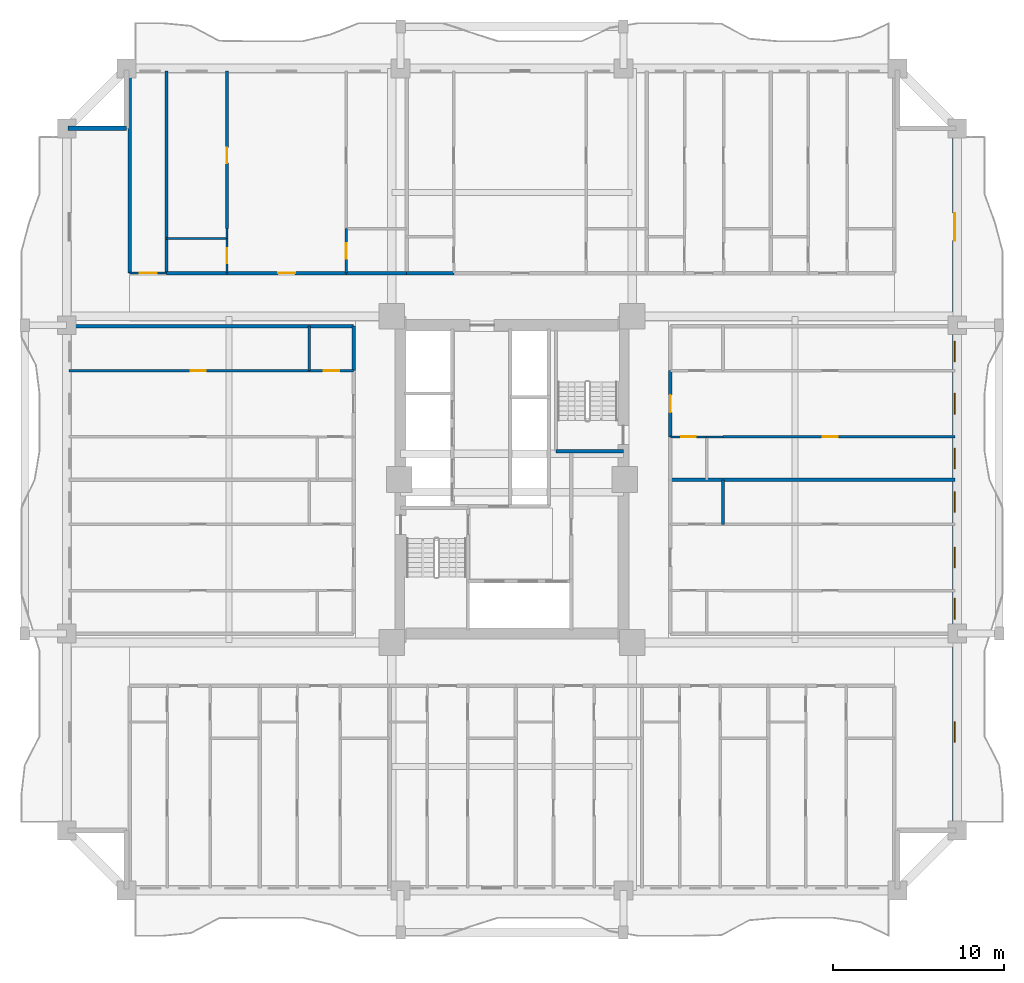
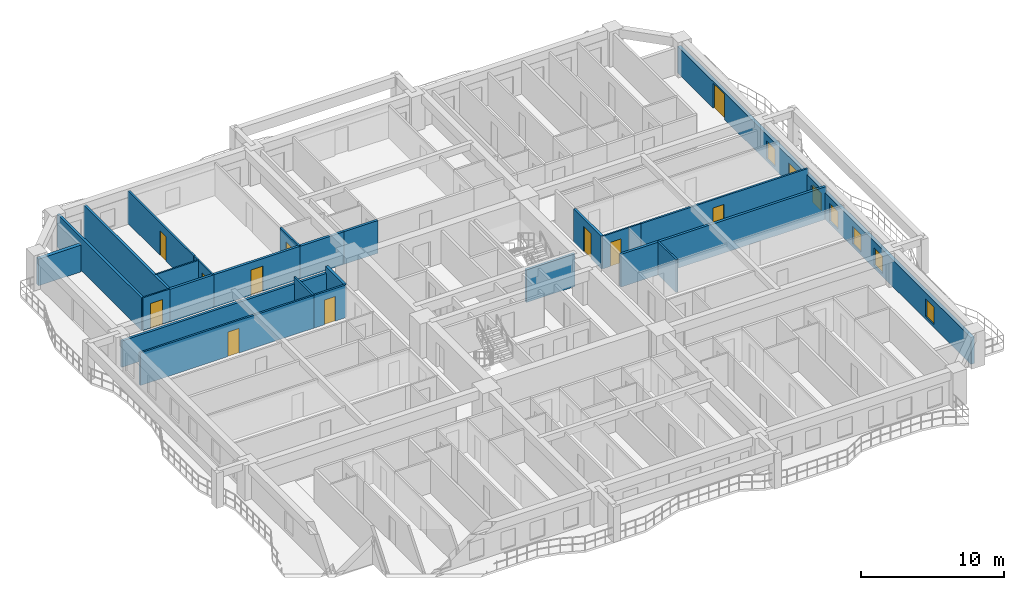
# One storey, part 7 of 17: 26 walls, 11 doors, 7 windows, 18 openings.
"""IFC4 building model written with IfcOpenShell, lengths in metres."""

from ifc_helpers import new_model, si_unit, direction, frame, frame_2d, origin, place, context, subcontext, project, spatial, rectangle, extrude, source, transform, mapped, material, layer, layer_set, type_object, element, fill, save


model = new_model("IFC4")

# Units and contexts
model_context = context("Model", 3, precision=1e-05, world=origin(), true_north=direction((0.0, 1.0)))
body_context = subcontext(model_context, "Body", "Model", "MODEL_VIEW")
ifc_project = project(units=[si_unit("LENGTHUNIT", "METRE"), si_unit("AREAUNIT", "SQUARE_METRE"), si_unit("VOLUMEUNIT", "CUBIC_METRE"), si_unit("PLANEANGLEUNIT", "RADIAN"), si_unit("MASSUNIT", "GRAM", prefix="KILO")], contexts=[model_context])

# Site, building, storey
site_placement = place(None, origin())
site = spatial("IfcSite", under=ifc_project, at=site_placement, CompositionType="ELEMENT")
building_placement = place(site_placement, origin())
building = spatial("IfcBuilding", under=site, at=building_placement, Name="Saelheon Loggia Tower", CompositionType="ELEMENT")
storey_placement = place(building_placement, frame((0.0, 0.0, 22.39990234375)))
storey = spatial("IfcBuildingStorey", under=building, at=storey_placement, Name="L06", CompositionType="ELEMENT", Elevation=22.39990234375)

# Wall, openings, windows, door
ifc_material_1 = material(Name="Architectural Precast Concrete C40/50", Category="concrete")
ifc_layer_1 = layer(ifc_material_1, 0.280029296875)
ifc_layer_set_1 = layer_set([ifc_layer_1], Name="Architectural Precast Concrete C40/50")
wall_type_1 = type_object("IfcWallType", Name="Wall_Ext_Loggia_280", PredefinedType="SOLIDWALL", material=ifc_layer_set_1)
wall_1_placement = place(storey_placement, frame((63.860107421875, 6.5, 0.0), z_axis=(0.0, 0.0, 1.0), x_axis=(0.0, 1.0, 0.0)))
wall_1 = element("IfcWall", 1, at=wall_1_placement, inside=storey, type_object=wall_type_1, Name="L06 East Loggia Inner Wall", PredefinedType="SOLIDWALL", context=body_context, shape_type="SweptSolid", body=[
    extrude(rectangle(XDim=41.0, YDim=0.280029296875, at=frame_2d((20.5, 0.0))), origin(), (0.0, 0.0, 1.0), 2.280029296875),
])
opening_1_placement = place(wall_1_placement, frame((5.14990234375, 0.0, 0.25)))
opening_1 = element("IfcOpeningElement", 2, at=opening_1_placement, cuts=wall_1, Name="Opening WN-03", PredefinedType="OPENING", context=body_context, shape_type="SweptSolid", body=[
    extrude(rectangle(XDim=1.199951171875, YDim=1.5, at=frame_2d((0.60009765625, 0.75))), frame((0.0, 0.152099609375, 0.0), z_axis=(0.0, -1.0, 0.0), x_axis=(1.0, 0.0, 0.0)), (0.0, 0.0, 1.0), 0.303955078125),
])
opening_2_placement = place(wall_1_placement, frame((12.3515625, 0.0, 0.25)))
opening_2 = element("IfcOpeningElement", 3, at=opening_2_placement, cuts=wall_1, Name="Opening WN-03", PredefinedType="OPENING", context=body_context, shape_type="SweptSolid", body=[
    extrude(rectangle(XDim=1.199951171875, YDim=1.5, at=frame_2d((0.60009765625, 0.75))), frame((0.0, 0.152099609375, 0.0), z_axis=(0.0, -1.0, 0.0), x_axis=(1.0, 0.0, 0.0)), (0.0, 0.0, 1.0), 0.303955078125),
])
opening_3_placement = place(wall_1_placement, frame((15.343994140625, 0.0, 0.25)))
opening_3 = element("IfcOpeningElement", 4, at=opening_3_placement, cuts=wall_1, Name="Opening WN-03", PredefinedType="OPENING", context=body_context, shape_type="SweptSolid", body=[
    extrude(rectangle(XDim=1.199951171875, YDim=1.5, at=frame_2d((0.60009765625, 0.75))), frame((0.0, 0.152099609375, 0.0), z_axis=(0.0, -1.0, 0.0), x_axis=(1.0, 0.0, 0.0)), (0.0, 0.0, 1.0), 0.303955078125),
])
opening_4_placement = place(wall_1_placement, frame((18.574951171875, 0.0, 0.25)))
opening_4 = element("IfcOpeningElement", 5, at=opening_4_placement, cuts=wall_1, Name="Opening WN-03", PredefinedType="OPENING", context=body_context, shape_type="SweptSolid", body=[
    extrude(rectangle(XDim=1.199951171875, YDim=1.5, at=frame_2d((0.60009765625, 0.75))), frame((0.0, 0.152099609375, 0.0), z_axis=(0.0, -1.0, 0.0), x_axis=(1.0, 0.0, 0.0)), (0.0, 0.0, 1.0), 0.303955078125),
])
opening_5_placement = place(wall_1_placement, frame((21.131591796875, 0.0, 0.25)))
opening_5 = element("IfcOpeningElement", 6, at=opening_5_placement, cuts=wall_1, Name="Opening WN-03", PredefinedType="OPENING", context=body_context, shape_type="SweptSolid", body=[
    extrude(rectangle(XDim=1.199951171875, YDim=1.5, at=frame_2d((0.60009765625, 0.75))), frame((0.0, 0.152099609375, 0.0), z_axis=(0.0, -1.0, 0.0), x_axis=(1.0, 0.0, 0.0)), (0.0, 0.0, 1.0), 0.303955078125),
])
opening_6_placement = place(wall_1_placement, frame((24.319091796875, 0.0, 0.25)))
opening_6 = element("IfcOpeningElement", 7, at=opening_6_placement, cuts=wall_1, Name="Opening WN-03", PredefinedType="OPENING", context=body_context, shape_type="SweptSolid", body=[
    extrude(rectangle(XDim=1.199951171875, YDim=1.5, at=frame_2d((0.60009765625, 0.75))), frame((0.0, 0.152099609375, 0.0), z_axis=(0.0, -1.0, 0.0), x_axis=(1.0, 0.0, 0.0)), (0.0, 0.0, 1.0), 0.303955078125),
])
opening_7_placement = place(wall_1_placement, frame((27.3798828125, 0.0, 0.25)))
opening_7 = element("IfcOpeningElement", 8, at=opening_7_placement, cuts=wall_1, Name="Opening WN-03", PredefinedType="OPENING", context=body_context, shape_type="SweptSolid", body=[
    extrude(rectangle(XDim=1.199951171875, YDim=1.5, at=frame_2d((0.60009765625, 0.75))), frame((0.0, 0.152099609375, 0.0), z_axis=(0.0, -1.0, 0.0), x_axis=(1.0, 0.0, 0.0)), (0.0, 0.0, 1.0), 0.303955078125),
])
opening_8_placement = place(wall_1_placement, frame((36.050048828125, 0.0, 0.0), z_axis=(0.0, 0.0, 1.0), x_axis=(-1.0, 0.0, 0.0)))
opening_8 = element("IfcOpeningElement", 9, at=opening_8_placement, cuts=wall_1, Name="Opening DLG-1", PredefinedType="OPENING", context=body_context, shape_type="SweptSolid", body=[
    extrude(rectangle(XDim=1.60009765625, YDim=2.14990234375, at=frame_2d((0.800048828125, 1.074951171875))), frame((0.0, 0.152099609375, 0.0), z_axis=(0.0, -1.0, 0.0), x_axis=(1.0, 0.0, 0.0)), (0.0, 0.0, 1.0), 0.303955078125),
])
ifc_material_2 = material(Name="Thermal-Break Aluminium and Triple Low-E Glass", Category="aluminium")
window_type = type_object("IfcWindowType", Name="Win_Bedroom_1200x1500", PartitioningType="SINGLE_PANEL", PredefinedType="WINDOW", material=ifc_material_2)
shared_shape_1 = source(origin(), body_context, "Body", "SweptSolid", [
    extrude(rectangle(XDim=1.199951171875, YDim=1.5, at=frame_2d((0.60009765625, 0.75))), frame((0.0, 0.030029296875, 0.0), z_axis=(0.0, -1.0, 0.0), x_axis=(1.0, 0.0, 0.0)), (0.0, 0.0, 1.0), 0.06005859375),
])
window_1_placement = place(opening_1_placement, origin())
window_1 = element("IfcWindow", 10, at=window_1_placement, inside=storey, type_object=window_type, Name="L06 E Dwelling Window 1", OverallHeight=1.5, OverallWidth=1.199951171875, PartitioningType="SINGLE_PANEL", PredefinedType="WINDOW", context=body_context, shape_type="MappedRepresentation", body=[
    mapped(shared_shape_1, transform((0.0, 0.0, 0.0), scale=1.0)),
])
fill(opening_1, window_1)
window_2_placement = place(opening_2_placement, origin())
window_2 = element("IfcWindow", 11, at=window_2_placement, inside=storey, type_object=window_type, Name="L06 E Dwelling Window 2", OverallHeight=1.5, OverallWidth=1.199951171875, PartitioningType="SINGLE_PANEL", PredefinedType="WINDOW", context=body_context, shape_type="MappedRepresentation", body=[
    mapped(shared_shape_1, transform((0.0, 0.0, 0.0), scale=1.0)),
])
fill(opening_2, window_2)
window_3_placement = place(opening_3_placement, origin())
window_3 = element("IfcWindow", 12, at=window_3_placement, inside=storey, type_object=window_type, Name="L06 E Dwelling Window 3", OverallHeight=1.5, OverallWidth=1.199951171875, PartitioningType="SINGLE_PANEL", PredefinedType="WINDOW", context=body_context, shape_type="MappedRepresentation", body=[
    mapped(shared_shape_1, transform((0.0, 0.0, 0.0), scale=1.0)),
])
fill(opening_3, window_3)
window_4_placement = place(opening_4_placement, origin())
window_4 = element("IfcWindow", 13, at=window_4_placement, inside=storey, type_object=window_type, Name="L06 E Dwelling Window 4", OverallHeight=1.5, OverallWidth=1.199951171875, PartitioningType="SINGLE_PANEL", PredefinedType="WINDOW", context=body_context, shape_type="MappedRepresentation", body=[
    mapped(shared_shape_1, transform((0.0, 0.0, 0.0), scale=1.0)),
])
fill(opening_4, window_4)
window_5_placement = place(opening_5_placement, origin())
window_5 = element("IfcWindow", 14, at=window_5_placement, inside=storey, type_object=window_type, Name="L06 E Dwelling Window 5", OverallHeight=1.5, OverallWidth=1.199951171875, PartitioningType="SINGLE_PANEL", PredefinedType="WINDOW", context=body_context, shape_type="MappedRepresentation", body=[
    mapped(shared_shape_1, transform((0.0, 0.0, 0.0), scale=1.0)),
])
fill(opening_5, window_5)
window_6_placement = place(opening_6_placement, origin())
window_6 = element("IfcWindow", 15, at=window_6_placement, inside=storey, type_object=window_type, Name="L06 E Dwelling Window 6", OverallHeight=1.5, OverallWidth=1.199951171875, PartitioningType="SINGLE_PANEL", PredefinedType="WINDOW", context=body_context, shape_type="MappedRepresentation", body=[
    mapped(shared_shape_1, transform((0.0, 0.0, 0.0), scale=1.0)),
])
fill(opening_6, window_6)
window_7_placement = place(opening_7_placement, origin())
window_7 = element("IfcWindow", 16, at=window_7_placement, inside=storey, type_object=window_type, Name="L06 E Dwelling Window 7", OverallHeight=1.5, OverallWidth=1.199951171875, PartitioningType="SINGLE_PANEL", PredefinedType="WINDOW", context=body_context, shape_type="MappedRepresentation", body=[
    mapped(shared_shape_1, transform((0.0, 0.0, 0.0), scale=1.0)),
])
fill(opening_7, window_7)
ifc_material_3 = material(Name="Thermal-Break Aluminium Sliding Glazed Door", Category="aluminium")
door_type_1 = type_object("IfcDoorType", Name="Door_LoggiaSlide_1600", OperationType="SLIDING_TO_LEFT", PredefinedType="DOOR", material=ifc_material_3)
shared_shape_2 = source(origin(), body_context, "Body", "SweptSolid", [
    extrude(rectangle(XDim=1.60009765625, YDim=2.14990234375, at=frame_2d((0.800048828125, 1.074951171875))), frame((0.0, 0.02490234375, 0.0), z_axis=(0.0, -1.0, 0.0), x_axis=(1.0, 0.0, 0.0)), (0.0, 0.0, 1.0), 0.050048828125),
])
door_1_placement = place(opening_8_placement, origin())
door_1 = element("IfcDoor", 17, at=door_1_placement, inside=storey, type_object=door_type_1, Name="L06 E Loggia Access Door", OperationType="SLIDING_TO_LEFT", OverallHeight=2.14990234375, OverallWidth=1.60009765625, PredefinedType="DOOR", context=body_context, shape_type="MappedRepresentation", body=[
    mapped(shared_shape_2, transform((0.0, 0.0, 0.0), scale=1.0)),
])
fill(opening_8, door_1)

# Wall
wall_2_placement = place(storey_placement, frame((12.080078125, 47.5, 0.0), z_axis=(0.0, 0.0, 1.0), x_axis=(1.0, 0.0, 0.0)))
element("IfcWall", 18, at=wall_2_placement, inside=storey, type_object=wall_type_1, Name="L06 Corner Notch Precast Wall NW2", PredefinedType="SOLIDWALL", context=body_context, shape_type="SweptSolid", body=[
    extrude(rectangle(XDim=3.419921875, YDim=0.280029296875, at=frame_2d((1.7099609375, 0.0))), origin(), (0.0, 0.0, 1.0), 2.280029296875),
])

# Wall, opening, door
ifc_material_4 = material(Name="Lightweight Autoclaved Aerated Concrete Block and Acoustic Gypsum", Category="concrete")
ifc_layer_2 = layer(ifc_material_4, 0.14990234375)
ifc_layer_set_2 = layer_set([ifc_layer_2], Name="Lightweight Autoclaved Aerated Concrete Block and Acoustic Gypsum")
wall_type_2 = type_object("IfcWallType", Name="Wall_Part_150", PredefinedType="PARTITIONING", material=ifc_layer_set_2)
wall_3_placement = place(storey_placement, frame((21.35888671875, 41.639892578125, 0.0), z_axis=(0.0, 0.0, 1.0), x_axis=(0.0, 1.0, 0.0)))
wall_3 = element("IfcWall", 19, at=wall_3_placement, inside=storey, type_object=wall_type_2, Name="L06 N Partition U12", PredefinedType="PARTITIONING", context=body_context, shape_type="SweptSolid", body=[
    extrude(rectangle(XDim=9.210205078125, YDim=0.14990234375, at=frame_2d((4.60498046875, 0.0))), origin(), (0.0, 0.0, 1.0), 2.7900390625),
])
opening_9_placement = place(wall_3_placement, frame((3.82861328125, 0.0, 0.0)))
opening_9 = element("IfcOpeningElement", 20, at=opening_9_placement, cuts=wall_3, Name="Opening D-IN2", PredefinedType="OPENING", context=body_context, shape_type="SweptSolid", body=[
    extrude(rectangle(XDim=0.89990234375, YDim=2.10009765625, at=frame_2d((0.449951171875, 1.050048828125))), frame((0.0, 0.0869140625, 0.0), z_axis=(0.0, -1.0, 0.0), x_axis=(1.0, 0.0, 0.0)), (0.0, 0.0, 1.0), 0.173828125),
])
ifc_material_5 = material(Name="Engineered Oak Flush Door", Category="timber")
door_type_2 = type_object("IfcDoorType", Name="Door_Int_900", OperationType="NOTDEFINED", PredefinedType="DOOR", material=ifc_material_5)
shared_shape_3 = source(origin(), body_context, "Body", "SweptSolid", [
    extrude(rectangle(XDim=0.89990234375, YDim=2.10009765625, at=frame_2d((0.449951171875, 1.050048828125))), frame((0.0, 0.02490234375, 0.0), z_axis=(0.0, -1.0, 0.0), x_axis=(1.0, 0.0, 0.0)), (0.0, 0.0, 1.0), 0.050048828125),
])
door_2_placement = place(opening_9_placement, origin())
door_2 = element("IfcDoor", 21, at=door_2_placement, inside=storey, type_object=door_type_2, Name="Unit U07 Bedroom 2 Door", OperationType="SINGLE_SWING_RIGHT", OverallHeight=2.10009765625, OverallWidth=0.89990234375, PredefinedType="DOOR", context=body_context, shape_type="MappedRepresentation", body=[
    mapped(shared_shape_3, transform((0.0, 0.0, 0.0), scale=1.0)),
])
fill(opening_9, door_2)

wall_4_placement = place(storey_placement, frame((28.322998046875, 39.050048828125, 0.0), z_axis=(0.0, 0.0, 1.0), x_axis=(0.0, 1.0, 0.0)))
wall_4 = element("IfcWall", 22, at=wall_4_placement, inside=storey, type_object=wall_type_2, Name="L06 N Partition U13", PredefinedType="PARTITIONING", context=body_context, shape_type="SweptSolid", body=[
    extrude(rectangle(XDim=2.58984375, YDim=0.14990234375, at=frame_2d((1.294921875, 0.0))), origin(), (0.0, 0.0, 1.0), 2.7900390625),
])
opening_10_placement = place(wall_4_placement, frame((0.844970703125, 0.0, 0.0)))
opening_10 = element("IfcOpeningElement", 23, at=opening_10_placement, cuts=wall_4, Name="Opening D-IN2", PredefinedType="OPENING", context=body_context, shape_type="SweptSolid", body=[
    extrude(rectangle(XDim=0.89990234375, YDim=2.10009765625, at=frame_2d((0.449951171875, 1.050048828125))), frame((0.0, 0.0869140625, 0.0), z_axis=(0.0, -1.0, 0.0), x_axis=(1.0, 0.0, 0.0)), (0.0, 0.0, 1.0), 0.173828125),
])
door_3_placement = place(opening_10_placement, origin())
door_3 = element("IfcDoor", 24, at=door_3_placement, inside=storey, type_object=door_type_2, Name="Unit U07 Kitchen Door", OperationType="SINGLE_SWING_LEFT", OverallHeight=2.10009765625, OverallWidth=0.89990234375, PredefinedType="DOOR", context=body_context, shape_type="MappedRepresentation", body=[
    mapped(shared_shape_3, transform((0.0, 0.0, 0.0), scale=1.0)),
])
fill(opening_10, door_3)

# Wall
wall_5_placement = place(storey_placement, frame((26.159912109375, 33.35009765625, 0.0), z_axis=(0.0, 0.0, 1.0), x_axis=(0.0, 1.0, 0.0)))
element("IfcWall", 25, at=wall_5_placement, inside=storey, type_object=wall_type_2, Name="L06 W Partition V18", PredefinedType="PARTITIONING", context=body_context, shape_type="SweptSolid", body=[
    extrude(rectangle(XDim=2.599853515625, YDim=0.14990234375, at=frame_2d((1.2998046875, 0.0))), origin(), (0.0, 0.0, 1.0), 2.7900390625),
])

# Wall, opening, door
wall_6_placement = place(storey_placement, frame((28.75, 33.35009765625, 0.0), z_axis=(0.0, 0.0, 1.0), x_axis=(-1.0, 0.0, 0.0)))
wall_6 = element("IfcWall", 26, at=wall_6_placement, inside=storey, type_object=wall_type_2, Name="L06 W Partition U22", PredefinedType="PARTITIONING", context=body_context, shape_type="SweptSolid", body=[
    extrude(rectangle(XDim=2.590087890625, YDim=0.14990234375, at=frame_2d((1.294921875, 0.0))), origin(), (0.0, 0.0, 1.0), 2.7900390625),
])
opening_11_placement = place(wall_6_placement, frame((0.844970703125, 0.0, 0.0)))
opening_11 = element("IfcOpeningElement", 27, at=opening_11_placement, cuts=wall_6, Name="Opening D-IN2", PredefinedType="OPENING", context=body_context, shape_type="SweptSolid", body=[
    extrude(rectangle(XDim=0.89990234375, YDim=2.10009765625, at=frame_2d((0.449951171875, 1.050048828125))), frame((0.0, 0.0869140625, 0.0), z_axis=(0.0, -1.0, 0.0), x_axis=(1.0, 0.0, 0.0)), (0.0, 0.0, 1.0), 0.173828125),
])
door_4_placement = place(opening_11_placement, origin())
door_4 = element("IfcDoor", 28, at=door_4_placement, inside=storey, type_object=door_type_2, Name="Unit U12 Dressing Closet Door", OperationType="SINGLE_SWING_RIGHT", OverallHeight=2.10009765625, OverallWidth=0.89990234375, PredefinedType="DOOR", context=body_context, shape_type="MappedRepresentation", body=[
    mapped(shared_shape_3, transform((0.0, 0.0, 0.0), scale=1.0)),
])
fill(opening_11, door_4)

wall_7_placement = place(storey_placement, frame((26.159912109375, 33.35009765625, 0.0), z_axis=(0.0, 0.0, 1.0), x_axis=(-1.0, 0.0, 0.0)))
wall_7 = element("IfcWall", 29, at=wall_7_placement, inside=storey, type_object=wall_type_2, Name="L06 W Partition U23", PredefinedType="PARTITIONING", context=body_context, shape_type="SweptSolid", body=[
    extrude(rectangle(XDim=14.010009765625, YDim=0.14990234375, at=frame_2d((7.0048828125, 0.0))), origin(), (0.0, 0.0, 1.0), 2.7900390625),
])
opening_12_placement = place(wall_7_placement, frame((6.02880859375, 0.0, 0.0)))
opening_12 = element("IfcOpeningElement", 30, at=opening_12_placement, cuts=wall_7, Name="Opening D-IN2", PredefinedType="OPENING", context=body_context, shape_type="SweptSolid", body=[
    extrude(rectangle(XDim=0.89990234375, YDim=2.10009765625, at=frame_2d((0.449951171875, 1.050048828125))), frame((0.0, 0.0869140625, 0.0), z_axis=(0.0, -1.0, 0.0), x_axis=(1.0, 0.0, 0.0)), (0.0, 0.0, 1.0), 0.173828125),
])
door_5_placement = place(opening_12_placement, origin())
door_5 = element("IfcDoor", 31, at=door_5_placement, inside=storey, type_object=door_type_2, Name="Unit U12 Bedroom 1 Door", OperationType="SINGLE_SWING_LEFT", OverallHeight=2.10009765625, OverallWidth=0.89990234375, PredefinedType="DOOR", context=body_context, shape_type="MappedRepresentation", body=[
    mapped(shared_shape_3, transform((0.0, 0.0, 0.0), scale=1.0)),
])
fill(opening_12, door_5)

# Wall
wall_8_placement = place(storey_placement, frame((50.320068359375, 24.375, 0.0), z_axis=(0.0, 0.0, 1.0), x_axis=(0.0, 1.0, 0.0)))
element("IfcWall", 32, at=wall_8_placement, inside=storey, type_object=wall_type_2, Name="L06 E Partition V07", PredefinedType="PARTITIONING", context=body_context, shape_type="SweptSolid", body=[
    extrude(rectangle(XDim=2.60009765625, YDim=0.14990234375, at=frame_2d((1.300048828125, 0.0))), origin(), (0.0, 0.0, 1.0), 2.7900390625),
])

# Wall, opening, door
wall_9_placement = place(storey_placement, frame((50.320068359375, 29.488037109375, 0.0), z_axis=(0.0, 0.0, 1.0), x_axis=(1.0, 0.0, 0.0)))
wall_9 = element("IfcWall", 33, at=wall_9_placement, inside=storey, type_object=wall_type_2, Name="L06 E Partition U21", PredefinedType="PARTITIONING", context=body_context, shape_type="SweptSolid", body=[
    extrude(rectangle(XDim=13.530029296875, YDim=0.14990234375, at=frame_2d((6.76513671875, 0.0))), origin(), (0.0, 0.0, 1.0), 2.7900390625),
])
opening_13_placement = place(wall_9_placement, frame((5.808837890625, 0.0, 0.0)))
opening_13 = element("IfcOpeningElement", 34, at=opening_13_placement, cuts=wall_9, Name="Opening D-IN2", PredefinedType="OPENING", context=body_context, shape_type="SweptSolid", body=[
    extrude(rectangle(XDim=0.89990234375, YDim=2.10009765625, at=frame_2d((0.449951171875, 1.050048828125))), frame((0.0, 0.0869140625, 0.0), z_axis=(0.0, -1.0, 0.0), x_axis=(1.0, 0.0, 0.0)), (0.0, 0.0, 1.0), 0.173828125),
])
door_6_placement = place(opening_13_placement, origin())
door_6 = element("IfcDoor", 35, at=door_6_placement, inside=storey, type_object=door_type_2, Name="Unit U14 Kitchen Door", OperationType="SINGLE_SWING_LEFT", OverallHeight=2.10009765625, OverallWidth=0.89990234375, PredefinedType="DOOR", context=body_context, shape_type="MappedRepresentation", body=[
    mapped(shared_shape_3, transform((0.0, 0.0, 0.0), scale=1.0)),
])
fill(opening_13, door_6)

# Walls
ifc_material_6 = material(Name="Double Acoustic Stud and Fireboard Partition", Category="gypsum")
ifc_layer_3 = layer(ifc_material_6, 0.199951171875)
ifc_layer_set_3 = layer_set([ifc_layer_3], Name="Double Acoustic Stud and Fireboard Partition")
wall_type_3 = type_object("IfcWallType", Name="Wall_Party_200", PredefinedType="PARTITIONING", material=ifc_layer_set_3)
for number, where, z_axis, x_axis, name in (
    (36, (15.679931640625, 39.050048828125, 0.0), (0.0, 0.0, 1.0), (0.0, 1.0, 0.0), "L06 N Partition U01"),
    (37, (17.830078125, 39.050048828125, 0.0), (0.0, 0.0, 1.0), (0.0, 1.0, 0.0), "L06 N Partition U03"),
):
    element("IfcWall", number, at=place(storey_placement, frame(where, z_axis=z_axis, x_axis=x_axis)), inside=storey, type_object=wall_type_3, Name=name, PredefinedType="PARTITIONING", context=body_context, shape_type="SweptSolid", body=[
        extrude(rectangle(XDim=11.800048828125, YDim=0.199951171875, at=frame_2d((5.89990234375, 0.0))), origin(), (0.0, 0.0, 1.0), 2.7900390625),
    ])
wall_10_placement = place(storey_placement, frame((17.830078125, 39.050048828125, 0.0), z_axis=(0.0, 0.0, 1.0), x_axis=(1.0, 0.0, 0.0)))
element("IfcWall", 38, at=wall_10_placement, inside=storey, type_object=wall_type_3, Name="L06 N Partition V05", PredefinedType="PARTITIONING", context=body_context, shape_type="SweptSolid", body=[
    extrude(rectangle(XDim=3.52880859375, YDim=0.199951171875, at=frame_2d((1.764404296875, 0.0))), origin(), (0.0, 0.0, 1.0), 2.7900390625),
])

# Wall, opening, door
wall_11_placement = place(storey_placement, frame((21.35888671875, 39.050048828125, 0.0), z_axis=(0.0, 0.0, 1.0), x_axis=(1.0, 0.0, 0.0)))
wall_11 = element("IfcWall", 39, at=wall_11_placement, inside=storey, type_object=wall_type_3, Name="L06 N Partition V06", PredefinedType="PARTITIONING", context=body_context, shape_type="SweptSolid", body=[
    extrude(rectangle(XDim=6.964111328125, YDim=0.199951171875, at=frame_2d((3.48193359375, 0.0))), origin(), (0.0, 0.0, 1.0), 2.7900390625),
])
opening_14_placement = place(wall_11_placement, frame((2.982177734375, 0.0, 0.0)))
opening_14 = element("IfcOpeningElement", 40, at=opening_14_placement, cuts=wall_11, Name="Opening D-FD1", PredefinedType="OPENING", context=body_context, shape_type="SweptSolid", body=[
    extrude(rectangle(XDim=1.0, YDim=2.14990234375, at=frame_2d((0.5, 1.074951171875))), frame((0.0, 0.112060546875, 0.0), z_axis=(0.0, -1.0, 0.0), x_axis=(1.0, 0.0, 0.0)), (0.0, 0.0, 1.0), 0.223876953125),
])
ifc_material_7 = material(Name="Fire-Rated Engineered Timber Entrance Door", Category="wood")
door_type_3 = type_object("IfcDoorType", Name="Door_Flat_FD30S", OperationType="NOTDEFINED", PredefinedType="DOOR", material=ifc_material_7)
shared_shape_4 = source(origin(), body_context, "Body", "SweptSolid", [
    extrude(rectangle(XDim=1.0, YDim=2.14990234375, at=frame_2d((0.5, 1.074951171875))), frame((0.0, 0.02490234375, 0.0), z_axis=(0.0, -1.0, 0.0), x_axis=(1.0, 0.0, 0.0)), (0.0, 0.0, 1.0), 0.050048828125),
])
door_7_placement = place(opening_14_placement, origin())
door_7 = element("IfcDoor", 41, at=door_7_placement, inside=storey, type_object=door_type_3, Name="Unit U07 Entrance Door", OperationType="SINGLE_SWING_RIGHT", OverallHeight=2.14990234375, OverallWidth=1.0, PredefinedType="DOOR", context=body_context, shape_type="MappedRepresentation", body=[
    mapped(shared_shape_4, transform((0.0, 0.0, 0.0), scale=1.0)),
])
fill(opening_14, door_7)

# Walls
wall_12_placement = place(storey_placement, frame((28.322998046875, 39.050048828125, 0.0), z_axis=(0.0, 0.0, 1.0), x_axis=(1.0, 0.0, 0.0)))
element("IfcWall", 42, at=wall_12_placement, inside=storey, type_object=wall_type_3, Name="L06 N Partition V07", PredefinedType="PARTITIONING", context=body_context, shape_type="SweptSolid", body=[
    extrude(rectangle(XDim=3.52880859375, YDim=0.199951171875, at=frame_2d((1.764404296875, 0.0))), origin(), (0.0, 0.0, 1.0), 2.7900390625),
])
wall_13_placement = place(storey_placement, frame((31.851806640625, 39.050048828125, 0.0), z_axis=(0.0, 0.0, 1.0), x_axis=(1.0, 0.0, 0.0)))
element("IfcWall", 43, at=wall_13_placement, inside=storey, type_object=wall_type_3, Name="L06 N Partition V16", PredefinedType="PARTITIONING", context=body_context, shape_type="SweptSolid", body=[
    extrude(rectangle(XDim=2.75, YDim=0.199951171875, at=frame_2d((1.375, 0.0))), origin(), (0.0, 0.0, 1.0), 2.7900390625),
])
wall_14_placement = place(storey_placement, frame((28.75, 35.949951171875, 0.0), z_axis=(0.0, 0.0, 1.0), x_axis=(-1.0, 0.0, 0.0)))
element("IfcWall", 44, at=wall_14_placement, inside=storey, type_object=wall_type_3, Name="L06 W Partition U02", PredefinedType="PARTITIONING", context=body_context, shape_type="SweptSolid", body=[
    extrude(rectangle(XDim=16.60009765625, YDim=0.199951171875, at=frame_2d((8.300048828125, 0.0))), origin(), (0.0, 0.0, 1.0), 2.239990234375),
])
wall_15_placement = place(storey_placement, frame((28.75, 33.35009765625, 0.0), z_axis=(0.0, 0.0, 1.0), x_axis=(0.0, 1.0, 0.0)))
element("IfcWall", 45, at=wall_15_placement, inside=storey, type_object=wall_type_3, Name="L06 W Partition V16", PredefinedType="PARTITIONING", context=body_context, shape_type="SweptSolid", body=[
    extrude(rectangle(XDim=2.599853515625, YDim=0.199951171875, at=frame_2d((1.2998046875, 0.0))), origin(), (0.0, 0.0, 1.0), 2.7900390625),
])
wall_16_placement = place(storey_placement, frame((47.25, 26.97509765625, 0.0), z_axis=(0.0, 0.0, 1.0), x_axis=(1.0, 0.0, 0.0)))
element("IfcWall", 46, at=wall_16_placement, inside=storey, type_object=wall_type_3, Name="L06 E Partition U13", PredefinedType="PARTITIONING", context=body_context, shape_type="SweptSolid", body=[
    extrude(rectangle(XDim=16.60009765625, YDim=0.199951171875, at=frame_2d((8.300048828125, 0.0))), origin(), (0.0, 0.0, 1.0), 2.7900390625),
])

# Wall, opening, door
wall_17_placement = place(storey_placement, frame((47.25, 29.488037109375, 0.0), z_axis=(0.0, 0.0, 1.0), x_axis=(0.0, 1.0, 0.0)))
wall_17 = element("IfcWall", 47, at=wall_17_placement, inside=storey, type_object=wall_type_3, Name="L06 E Partition V15", PredefinedType="PARTITIONING", context=body_context, shape_type="SweptSolid", body=[
    extrude(rectangle(XDim=3.862060546875, YDim=0.199951171875, at=frame_2d((1.93115234375, 0.0))), origin(), (0.0, 0.0, 1.0), 2.7900390625),
])
opening_15_placement = place(wall_17_placement, frame((1.430908203125, 0.0, 0.0)))
opening_15 = element("IfcOpeningElement", 48, at=opening_15_placement, cuts=wall_17, Name="Opening D-FD1", PredefinedType="OPENING", context=body_context, shape_type="SweptSolid", body=[
    extrude(rectangle(XDim=1.0, YDim=2.14990234375, at=frame_2d((0.5, 1.074951171875))), frame((0.0, 0.112060546875, 0.0), z_axis=(0.0, -1.0, 0.0), x_axis=(1.0, 0.0, 0.0)), (0.0, 0.0, 1.0), 0.223876953125),
])
door_8_placement = place(opening_15_placement, origin())
door_8 = element("IfcDoor", 49, at=door_8_placement, inside=storey, type_object=door_type_3, Name="Unit U14 Entrance Door", OperationType="SINGLE_SWING_LEFT", OverallHeight=2.14990234375, OverallWidth=1.0, PredefinedType="DOOR", context=body_context, shape_type="MappedRepresentation", body=[
    mapped(shared_shape_4, transform((0.0, 0.0, 0.0), scale=1.0)),
])
fill(opening_15, door_8)

# Wall
ifc_material_8 = material(Name="Concrete C45/55", Category="concrete")
ifc_layer_4 = layer(ifc_material_8, 0.199951171875)
ifc_layer_set_4 = layer_set([ifc_layer_4], Name="Concrete C45/55")
wall_type_4 = type_object("IfcWallType", Name="Wall_StairShaft_RC200", PredefinedType="SOLIDWALL", material=ifc_layer_set_4)
wall_18_placement = place(storey_placement, frame((40.570068359375, 28.64990234375, 0.0), z_axis=(0.0, 0.0, 1.0), x_axis=(1.0, 0.0, 0.0)))
element("IfcWall", 50, at=wall_18_placement, inside=storey, type_object=wall_type_4, Name="L06 Stair ST2 South Wall", PredefinedType="SOLIDWALL", context=body_context, shape_type="SweptSolid", body=[
    extrude(rectangle(XDim=3.929931640625, YDim=0.199951171875, at=frame_2d((1.96484375, 0.0))), origin(), (0.0, 0.0, 1.0), 2.7900390625),
])

# Wall, opening, door
ifc_material_9 = material(Name="Moisture-Resistant Cement Board Partition", Category="gypsum")
ifc_layer_5 = layer(ifc_material_9, 0.1201171875)
ifc_layer_set_5 = layer_set([ifc_layer_5], Name="Moisture-Resistant Cement Board Partition")
wall_type_5 = type_object("IfcWallType", Name="Wall_WetPart_120", PredefinedType="PARTITIONING", material=ifc_layer_set_5)
wall_19_placement = place(storey_placement, frame((15.679931640625, 39.050048828125, 0.0), z_axis=(0.0, 0.0, 1.0), x_axis=(1.0, 0.0, 0.0)))
wall_19 = element("IfcWall", 51, at=wall_19_placement, inside=storey, type_object=wall_type_5, Name="L06 N Partition V04", PredefinedType="PARTITIONING", context=body_context, shape_type="SweptSolid", body=[
    extrude(rectangle(XDim=2.150146484375, YDim=0.1201171875, at=frame_2d((1.0751953125, 0.0))), origin(), (0.0, 0.0, 1.0), 2.7900390625),
])
opening_16_placement = place(wall_19_placement, frame((0.574951171875, 0.0, 0.0)))
opening_16 = element("IfcOpeningElement", 52, at=opening_16_placement, cuts=wall_19, Name="Opening D-AC1", PredefinedType="OPENING", context=body_context, shape_type="SweptSolid", body=[
    extrude(rectangle(XDim=1.0, YDim=2.10009765625, at=frame_2d((0.5, 1.050048828125))), frame((0.0, 0.072021484375, 0.0), z_axis=(0.0, -1.0, 0.0), x_axis=(1.0, 0.0, 0.0)), (0.0, 0.0, 1.0), 0.14404296875),
])
ifc_material_10 = material(Name="Accessible Laminate Flush Door", Category="timber")
door_type_4 = type_object("IfcDoorType", Name="Door_Acc_1000", OperationType="NOTDEFINED", PredefinedType="DOOR", material=ifc_material_10)
shared_shape_5 = source(origin(), body_context, "Body", "SweptSolid", [
    extrude(rectangle(XDim=1.0, YDim=2.10009765625, at=frame_2d((0.5, 1.050048828125))), frame((0.0, 0.02490234375, 0.0), z_axis=(0.0, -1.0, 0.0), x_axis=(1.0, 0.0, 0.0)), (0.0, 0.0, 1.0), 0.050048828125),
])
door_9_placement = place(opening_16_placement, origin())
door_9 = element("IfcDoor", 53, at=door_9_placement, inside=storey, type_object=door_type_4, Name="L06 Floor Accessible WC Door", OperationType="SINGLE_SWING_LEFT", OverallHeight=2.10009765625, OverallWidth=1.0, PredefinedType="DOOR", context=body_context, shape_type="MappedRepresentation", body=[
    mapped(shared_shape_5, transform((0.0, 0.0, 0.0), scale=1.0)),
])
fill(opening_16, door_9)

# Wall
wall_20_placement = place(storey_placement, frame((17.830078125, 41.070068359375, 0.0), z_axis=(0.0, 0.0, 1.0), x_axis=(1.0, 0.0, 0.0)))
element("IfcWall", 54, at=wall_20_placement, inside=storey, type_object=wall_type_5, Name="L06 N Partition V08", PredefinedType="PARTITIONING", context=body_context, shape_type="SweptSolid", body=[
    extrude(rectangle(XDim=3.52880859375, YDim=0.1201171875, at=frame_2d((1.764404296875, 0.0))), origin(), (0.0, 0.0, 1.0), 2.7900390625),
])

# Wall, opening, door
wall_21_placement = place(storey_placement, frame((21.35888671875, 39.050048828125, 0.0), z_axis=(0.0, 0.0, 1.0), x_axis=(0.0, 1.0, 0.0)))
wall_21 = element("IfcWall", 55, at=wall_21_placement, inside=storey, type_object=wall_type_5, Name="L06 N Partition U10", PredefinedType="PARTITIONING", context=body_context, shape_type="SweptSolid", body=[
    extrude(rectangle(XDim=2.02001953125, YDim=0.1201171875, at=frame_2d((1.010009765625, 0.0))), origin(), (0.0, 0.0, 1.0), 2.7900390625),
])
opening_17_placement = place(wall_21_placement, frame((0.5849609375, 0.0, 0.0)))
opening_17 = element("IfcOpeningElement", 56, at=opening_17_placement, cuts=wall_21, Name="Opening D-BT1", PredefinedType="OPENING", context=body_context, shape_type="SweptSolid", body=[
    extrude(rectangle(XDim=0.85009765625, YDim=2.050048828125, at=frame_2d((0.425048828125, 1.02490234375))), frame((0.0, 0.072021484375, 0.0), z_axis=(0.0, -1.0, 0.0), x_axis=(1.0, 0.0, 0.0)), (0.0, 0.0, 1.0), 0.14404296875),
])
ifc_material_11 = material(Name="Moisture-Resistant Laminate Timber Door", Category="wood")
door_type_5 = type_object("IfcDoorType", Name="Door_Bath_850", OperationType="NOTDEFINED", PredefinedType="DOOR", material=ifc_material_11)
shared_shape_6 = source(origin(), body_context, "Body", "SweptSolid", [
    extrude(rectangle(XDim=0.85009765625, YDim=2.050048828125, at=frame_2d((0.425048828125, 1.02490234375))), frame((0.0, 0.02490234375, 0.0), z_axis=(0.0, -1.0, 0.0), x_axis=(1.0, 0.0, 0.0)), (0.0, 0.0, 1.0), 0.050048828125),
])
door_10_placement = place(opening_17_placement, origin())
door_10 = element("IfcDoor", 57, at=door_10_placement, inside=storey, type_object=door_type_5, Name="Unit U07 Bathroom Door", OperationType="SINGLE_SWING_LEFT", OverallHeight=2.050048828125, OverallWidth=0.85009765625, PredefinedType="DOOR", context=body_context, shape_type="MappedRepresentation", body=[
    mapped(shared_shape_6, transform((0.0, 0.0, 0.0), scale=1.0)),
])
fill(opening_17, door_10)

# Wall
wall_22_placement = place(storey_placement, frame((21.35888671875, 41.070068359375, 0.0), z_axis=(0.0, 0.0, 1.0), x_axis=(0.0, 1.0, 0.0)))
element("IfcWall", 58, at=wall_22_placement, inside=storey, type_object=wall_type_5, Name="L06 N Partition U11", PredefinedType="PARTITIONING", context=body_context, shape_type="SweptSolid", body=[
    extrude(rectangle(XDim=0.56982421875, YDim=0.1201171875, at=frame_2d((0.284912109375, 0.0))), origin(), (0.0, 0.0, 1.0), 2.7900390625),
])

# Wall, opening, door
wall_23_placement = place(storey_placement, frame((47.25, 29.488037109375, 0.0), z_axis=(0.0, 0.0, 1.0), x_axis=(1.0, 0.0, 0.0)))
wall_23 = element("IfcWall", 59, at=wall_23_placement, inside=storey, type_object=wall_type_5, Name="L06 E Partition U19", PredefinedType="PARTITIONING", context=body_context, shape_type="SweptSolid", body=[
    extrude(rectangle(XDim=2.1201171875, YDim=0.1201171875, at=frame_2d((1.06005859375, 0.0))), origin(), (0.0, 0.0, 1.0), 2.7900390625),
])
opening_18_placement = place(wall_23_placement, frame((0.635009765625, 0.0, 0.0)))
opening_18 = element("IfcOpeningElement", 60, at=opening_18_placement, cuts=wall_23, Name="Opening D-BT1", PredefinedType="OPENING", context=body_context, shape_type="SweptSolid", body=[
    extrude(rectangle(XDim=0.85009765625, YDim=2.050048828125, at=frame_2d((0.425048828125, 1.02490234375))), frame((0.0, 0.072021484375, 0.0), z_axis=(0.0, -1.0, 0.0), x_axis=(1.0, 0.0, 0.0)), (0.0, 0.0, 1.0), 0.14404296875),
])
door_11_placement = place(opening_18_placement, origin())
door_11 = element("IfcDoor", 61, at=door_11_placement, inside=storey, type_object=door_type_5, Name="Unit U14 Bathroom Door", OperationType="SINGLE_SWING_RIGHT", OverallHeight=2.050048828125, OverallWidth=0.85009765625, PredefinedType="DOOR", context=body_context, shape_type="MappedRepresentation", body=[
    mapped(shared_shape_6, transform((0.0, 0.0, 0.0), scale=1.0)),
])
fill(opening_18, door_11)

# Wall
wall_24_placement = place(storey_placement, frame((49.3701171875, 29.488037109375, 0.0), z_axis=(0.0, 0.0, 1.0), x_axis=(1.0, 0.0, 0.0)))
element("IfcWall", 62, at=wall_24_placement, inside=storey, type_object=wall_type_5, Name="L06 E Partition U20", PredefinedType="PARTITIONING", context=body_context, shape_type="SweptSolid", body=[
    extrude(rectangle(XDim=0.949951171875, YDim=0.1201171875, at=frame_2d((0.47509765625, 0.0))), origin(), (0.0, 0.0, 1.0), 2.7900390625),
])

save(model, "model.ifc")
